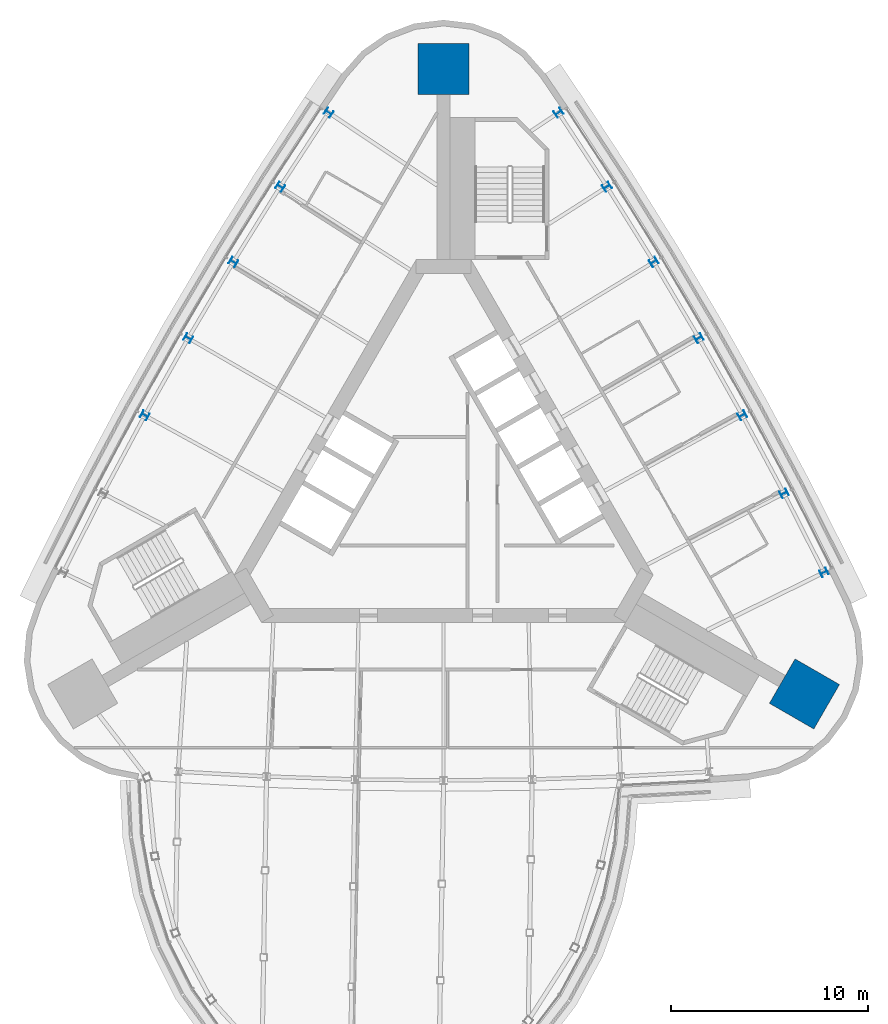
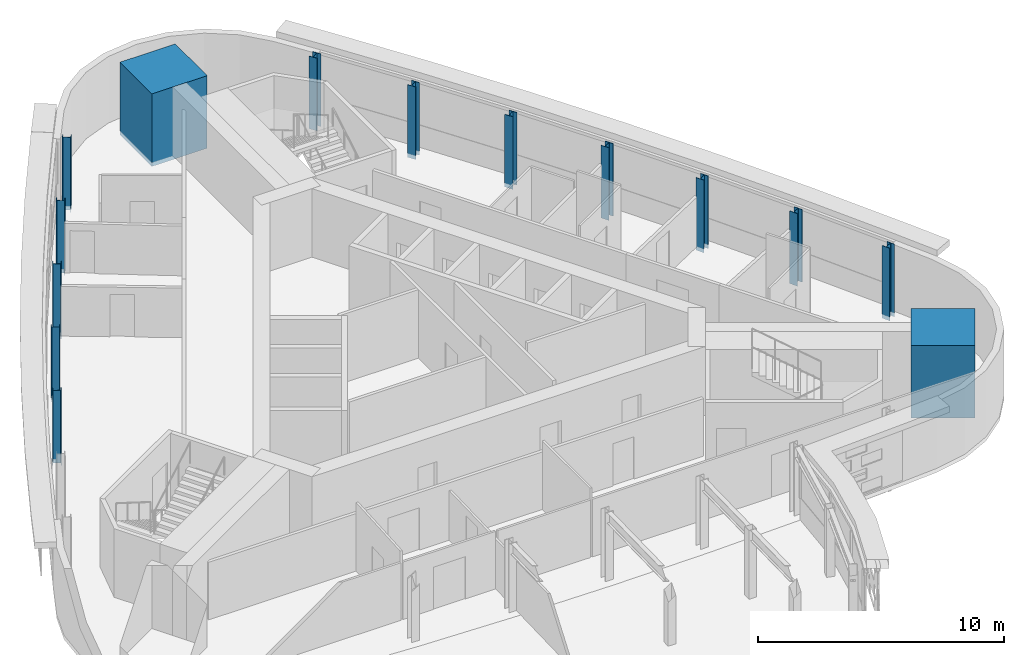
# One storey, part 2 of 15: 14 columns.
"""IFC4 building model written with IfcOpenShell, lengths in metres."""

from ifc_helpers import new_model, si_unit, direction, frame, origin, origin_2d, place, context, subcontext, project, spatial, rectangle, i_section, extrude, material, material_profile, profile_set, type_object, element, save


model = new_model("IFC4")

# Units and contexts
model_context = context("Model", 3, precision=1e-05, world=origin(), true_north=direction((0.0, 1.0)))
body_context = subcontext(model_context, "Body", "Model", "MODEL_VIEW")
ifc_project = project(units=[si_unit("LENGTHUNIT", "METRE"), si_unit("AREAUNIT", "SQUARE_METRE"), si_unit("VOLUMEUNIT", "CUBIC_METRE"), si_unit("PLANEANGLEUNIT", "RADIAN"), si_unit("MASSUNIT", "GRAM", prefix="KILO")], contexts=[model_context])

# Site, building, storey
site_placement = place(None, origin())
site = spatial("IfcSite", under=ifc_project, at=site_placement, CompositionType="ELEMENT")
building_placement = place(site_placement, origin())
building = spatial("IfcBuilding", under=site, at=building_placement, Name="Noor Cloister Tower", CompositionType="ELEMENT")
storey_placement = place(building_placement, frame((0.0, 0.0, 225.60009765625)))
storey = spatial("IfcBuildingStorey", under=building, at=storey_placement, Name="L58", CompositionType="ELEMENT", Elevation=225.60009765625)

# Columns
ifc_material_1 = material(Name="Steel ASTM A992 Gr 50", Category="steel")
ifc_material_profile_1 = material_profile(ifc_material_1, i_section(OverallWidth=0.373046875, OverallDepth=0.367919921875, WebThickness=0.014892578125, FlangeThickness=0.02392578125, FilletRadius=0.01513671875, at=origin_2d()), Name="W360x179")
ifc_profile_set_1 = profile_set([ifc_material_profile_1], Name="Steel ASTM A992 Gr 50")
column_type_1 = type_object("IfcColumnType", Name="Column W360x179", PredefinedType="COLUMN", material=ifc_profile_set_1)
for number, where, z_axis, x_axis, name in (
    (1, (-5.8251953125, 18.89794921875, -0.2001953125), (0.0, 0.0, 1.0), (-0.556360252768, -0.830941194755, 0.0), "Column NW 01 L58"),
    (2, (-8.280517578125, 15.1416015625, -0.2001953125), (0.0, 0.0, 1.0), (-0.537833901726, -0.843050825369, 0.0), "Column NW 02 L58"),
    (3, (-10.652099609375, 11.331787109375, -0.2001953125), (0.0, 0.0, 1.0), (-0.519044082631, -0.854747471647, 0.0), "Column NW 03 L58"),
    (4, (-12.93896484375, 7.47021484375, -0.2001953125), (0.0, 0.0, 1.0), (-0.5, -0.866025403784, 0.0), "Column NW 04 L58"),
    (5, (-15.1396484375, 3.55908203125, -0.2001953125), (0.0, 0.0, 1.0), (-0.480710982951, -0.876879097065, 0.0), "Column NW 05 L58"),
    (6, (19.278564453125, -4.404296875, -0.2001953125), (0.0, 0.0, 1.0), (-0.441436057324, 0.89729270993, 0.0), "Column NE 01 L58"),
    (7, (17.253173828125, -0.399658203125, -0.2001953125), (0.0, 0.0, 1.0), (-0.461186480588, 0.887303234595, 0.0), "Column NE 02 L58"),
    (8, (15.1396484375, 3.55908203125, -0.2001953125), (0.0, 0.0, 1.0), (-0.480710982951, 0.876879097065, 0.0), "Column NE 03 L58"),
    (9, (12.93896484375, 7.47021484375, -0.2001953125), (0.0, 0.0, 1.0), (-0.5, 0.866025403784, 0.0), "Column NE 04 L58"),
    (10, (10.652099609375, 11.331787109375, -0.2001953125), (0.0, 0.0, 1.0), (-0.519044082631, 0.854747471647, 0.0), "Column NE 05 L58"),
    (11, (8.280517578125, 15.1416015625, -0.2001953125), (0.0, 0.0, 1.0), (-0.537833901726, 0.843050825369, 0.0), "Column NE 06 L58"),
    (12, (5.8251953125, 18.89794921875, -0.2001953125), (0.0, 0.0, 1.0), (-0.556360252768, 0.830941194755, 0.0), "Column NE 07 L58"),
):
    element("IfcColumn", number, at=place(storey_placement, frame(where, z_axis=z_axis, x_axis=x_axis)), inside=storey, type_object=column_type_1, Name=name, PredefinedType="COLUMN", context=body_context, shape_type="SweptSolid", body=[
        extrude(i_section(OverallWidth=0.373046875, OverallDepth=0.367919921875, WebThickness=0.014892578125, FlangeThickness=0.02392578125, FilletRadius=0.01513671875, at=origin_2d()), origin(), (0.0, 0.0, 1.0), 3.60009765625),
    ])
ifc_material_2 = material(Name="Concrete C60/75", Category="concrete")
ifc_material_profile_2 = material_profile(ifc_material_2, rectangle(XDim=2.60009765625, YDim=2.60009765625, at=origin_2d()), Name="RC 2600x2600")
ifc_profile_set_2 = profile_set([ifc_material_profile_2], Name="Concrete C60/75")
column_type_2 = type_object("IfcColumnType", Name="Corner pier 2600 x 2600 C60/75", PredefinedType="COLUMN", material=ifc_profile_set_2)
for number, where, z_axis, x_axis, name in (
    (13, (0.0, 21.114990234375, -0.2001953125), (0.0, 0.0, 1.0), (0.0, 1.0, 0.0), "Corner pier N L58"),
    (14, (18.2861328125, -10.5576171875, -0.2001953125), (0.0, 0.0, 1.0), (0.866025403784, -0.5, 0.0), "Corner pier SE L58"),
):
    element("IfcColumn", number, at=place(storey_placement, frame(where, z_axis=z_axis, x_axis=x_axis)), inside=storey, type_object=column_type_2, Name=name, PredefinedType="COLUMN", context=body_context, shape_type="SweptSolid", body=[
        extrude(rectangle(XDim=2.60009765625, YDim=2.60009765625, at=origin_2d()), origin(), (0.0, 0.0, 1.0), 3.60009765625),
    ])

save(model, "model.ifc")
